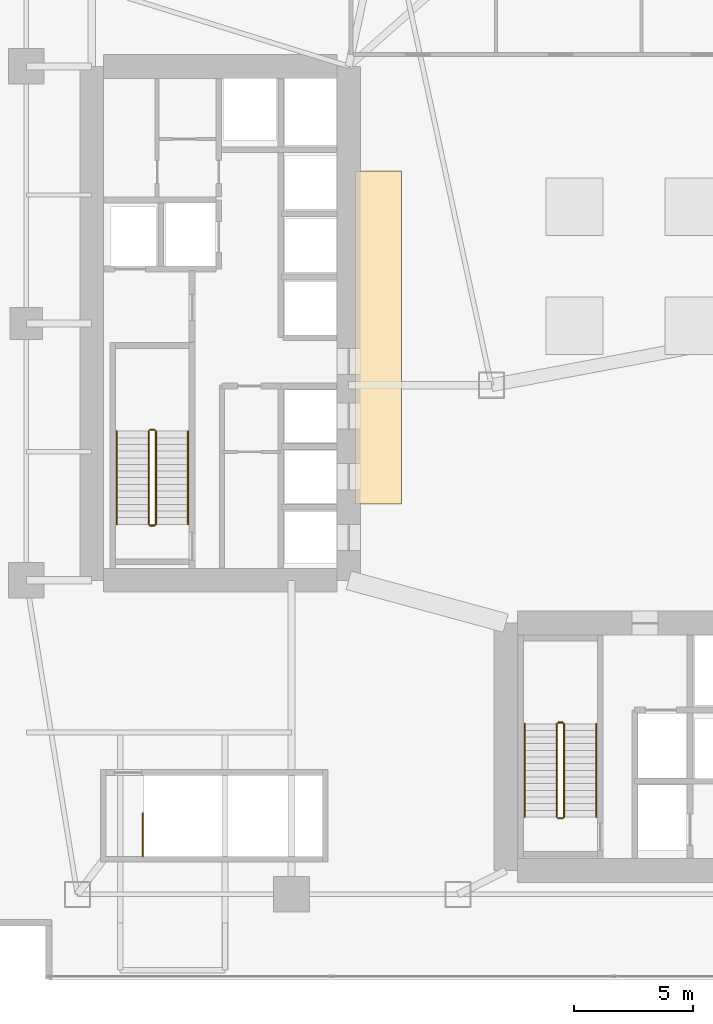
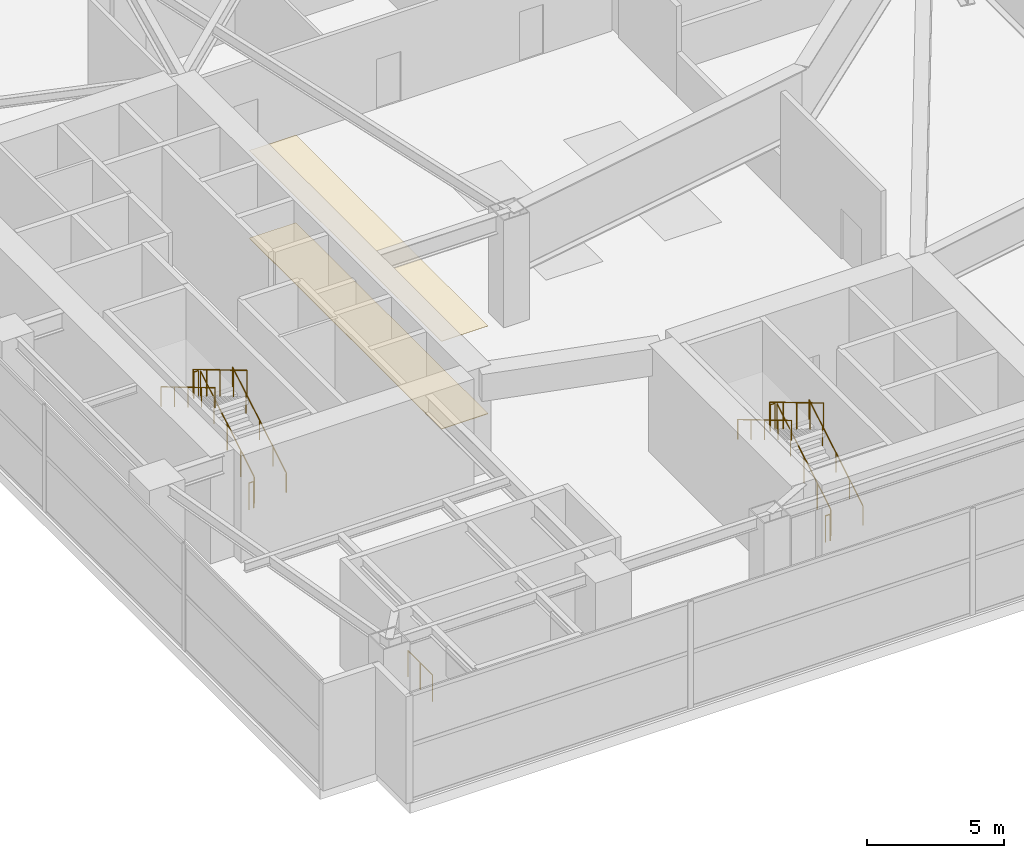
# One storey, part 35 of 36: 13 railings, 2 coverings.
"""IFC4 building model written with IfcOpenShell, lengths in metres."""

from ifc_helpers import new_model, si_unit, direction, frame, origin, origin_2d, place, context, subcontext, project, spatial, rectangle, circle, extrude, material, layer, layer_set, type_object, element, save


model = new_model("IFC4")

# Units and contexts
model_context = context("Model", 3, precision=1e-05, world=origin(), true_north=direction((0.0, 1.0)))
body_context = subcontext(model_context, "Body", "Model", "MODEL_VIEW")
ifc_project = project(units=[si_unit("LENGTHUNIT", "METRE"), si_unit("AREAUNIT", "SQUARE_METRE"), si_unit("VOLUMEUNIT", "CUBIC_METRE"), si_unit("PLANEANGLEUNIT", "RADIAN"), si_unit("MASSUNIT", "GRAM", prefix="KILO")], contexts=[model_context])

# Site, building, storey
site_placement = place(None, origin())
site = spatial("IfcSite", under=ifc_project, at=site_placement, CompositionType="ELEMENT")
building_placement = place(site_placement, origin())
building = spatial("IfcBuilding", under=site, at=building_placement, Name="Calvorn Quay Hotel", CompositionType="ELEMENT")
storey_placement = place(building_placement, frame((0.0, 0.0, 22.0)))
storey = spatial("IfcBuildingStorey", under=building, at=storey_placement, Name="L04", CompositionType="ELEMENT", Elevation=22.0)

# Coverings
ifc_material_1 = material(Name="Anodised Aluminium Acoustic Baffle", Category="aluminium")
ifc_layer_1 = layer(ifc_material_1, 0.02001953125)
ifc_layer_set_1 = layer_set([ifc_layer_1], Name="COV-CEIL-METAL")
covering_type_1 = type_object("IfcCoveringType", Name="COV-CEIL-METAL", PredefinedType="CEILING", material=ifc_layer_set_1)
covering_1_placement = place(storey_placement, frame((16.25, 27.0, 3.89990234375), z_axis=(0.0, 0.0, 1.0), x_axis=(1.0, 0.0, 0.0)))
element("IfcCovering", 1, at=covering_1_placement, inside=storey, type_object=covering_type_1, Name="Acoustic Suspended Ceiling (L04)", PredefinedType="CEILING", context=body_context, shape_type="SweptSolid", body=[
    extrude(rectangle(XDim=1.9599609375, YDim=14.0, at=origin_2d()), origin(), (0.0, 0.0, 1.0), 0.02001953125),
])
ifc_material_2 = material(Name="Honed Granite Stone Flooring", Category="masonry")
ifc_layer_2 = layer(ifc_material_2, 0.02392578125)
ifc_layer_set_2 = layer_set([ifc_layer_2], Name="COV-FLOOR-STONE")
covering_type_2 = type_object("IfcCoveringType", Name="COV-FLOOR-STONE", PredefinedType="FLOORING", material=ifc_layer_set_2)
covering_2_placement = place(storey_placement, frame((16.25, 27.0, 0.0), z_axis=(0.0, 0.0, 1.0), x_axis=(1.0, 0.0, 0.0)))
element("IfcCovering", 2, at=covering_2_placement, inside=storey, type_object=covering_type_2, Name="Interior Floor Finish (L04)", PredefinedType="FLOORING", context=body_context, shape_type="SweptSolid", body=[
    extrude(rectangle(XDim=1.9599609375, YDim=14.0, at=origin_2d()), origin(), (0.0, 0.0, 1.0), 0.02392578125),
])

# Railings
ifc_material_3 = material(Name="Brushed Stainless Steel Handrail", Category="steel")
railing_type_1 = type_object("IfcRailingType", Name="RLG-HANDRAIL-900", PredefinedType="HANDRAIL", material=ifc_material_3)
railing_1_placement = place(storey_placement, frame((8.25, 19.14990234375, 0.166748046875)))
element("IfcRailing", 3, at=railing_1_placement, inside=storey, type_object=railing_type_1, Name="L04 ST-W stair handrail 1", PredefinedType="HANDRAIL", context=body_context, shape_type="SweptSolid", body=[
    extrude(circle(Radius=0.02392578125, at=origin_2d()), frame((0.0, 0.0, 0.8759765625), z_axis=(0.0, 0.859310244771, 0.511454693235), x_axis=(-1.0, 0.0, 0.0)), (0.0, 0.0, 1.0), 4.56201171875),
    extrude(circle(Radius=0.02099609375, at=origin_2d()), origin(), (0.0, 0.0, 1.0), 0.851806640625),
    extrude(circle(Radius=0.02099609375, at=origin_2d()), frame((0.0, 0.97998046875, 0.583251953125)), (0.0, 0.0, 1.0), 0.851806640625),
    extrude(circle(Radius=0.02099609375, at=origin_2d()), frame((0.0, 1.9599609375, 1.16650390625)), (0.0, 0.0, 1.0), 0.851806640625),
    extrude(circle(Radius=0.02099609375, at=origin_2d()), frame((0.0, 2.940185546875, 1.75)), (0.0, 0.0, 1.0), 0.851806640625),
    extrude(circle(Radius=0.02099609375, at=origin_2d()), frame((0.0, 3.920166015625, 2.333251953125)), (0.0, 0.0, 1.0), 0.851806640625),
])
railing_2_placement = place(storey_placement, frame((5.25, 23.070068359375, 2.666748046875)))
element("IfcRailing", 4, at=railing_2_placement, inside=storey, type_object=railing_type_1, Name="L04 ST-W stair handrail 2", PredefinedType="HANDRAIL", context=body_context, shape_type="SweptSolid", body=[
    extrude(circle(Radius=0.02392578125, at=origin_2d()), frame((0.0, 0.0, 0.8759765625), z_axis=(0.0, -0.859310244771, 0.511454693235), x_axis=(1.0, 0.0, 0.0)), (0.0, 0.0, 1.0), 4.56201171875),
    extrude(circle(Radius=0.02099609375, at=origin_2d()), origin(), (0.0, 0.0, 1.0), 0.851806640625),
    extrude(circle(Radius=0.02099609375, at=origin_2d()), frame((0.0, -0.97998046875, 0.583251953125)), (0.0, 0.0, 1.0), 0.851806640625),
    extrude(circle(Radius=0.02099609375, at=origin_2d()), frame((0.0, -1.9599609375, 1.16650390625)), (0.0, 0.0, 1.0), 0.851806640625),
    extrude(circle(Radius=0.02099609375, at=origin_2d()), frame((0.0, -2.940185546875, 1.75)), (0.0, 0.0, 1.0), 0.851806640625),
    extrude(circle(Radius=0.02099609375, at=origin_2d()), frame((0.0, -3.920166015625, 2.333251953125)), (0.0, 0.0, 1.0), 0.851806640625),
])
railing_3_placement = place(storey_placement, frame((25.39990234375, 6.85009765625, 0.166748046875)))
element("IfcRailing", 5, at=railing_3_placement, inside=storey, type_object=railing_type_1, Name="L04 ST-E stair handrail 1", PredefinedType="HANDRAIL", context=body_context, shape_type="SweptSolid", body=[
    extrude(circle(Radius=0.02392578125, at=origin_2d()), frame((0.0, 0.0, 0.8759765625), z_axis=(0.0, 0.859296244711, 0.511478214419), x_axis=(-1.0, 0.0, 0.0)), (0.0, 0.0, 1.0), 4.561767578125),
    extrude(circle(Radius=0.02099609375, at=origin_2d()), origin(), (0.0, 0.0, 1.0), 0.851806640625),
    extrude(circle(Radius=0.02099609375, at=origin_2d()), frame((0.0, 0.97998046875, 0.583251953125)), (0.0, 0.0, 1.0), 0.851806640625),
    extrude(circle(Radius=0.02099609375, at=origin_2d()), frame((0.0, 1.9599609375, 1.16650390625)), (0.0, 0.0, 1.0), 0.851806640625),
    extrude(circle(Radius=0.02099609375, at=origin_2d()), frame((0.0, 2.93994140625, 1.75)), (0.0, 0.0, 1.0), 0.851806640625),
    extrude(circle(Radius=0.02099609375, at=origin_2d()), frame((0.0, 3.919921875, 2.333251953125)), (0.0, 0.0, 1.0), 0.851806640625),
])
railing_4_placement = place(storey_placement, frame((22.39990234375, 10.77001953125, 2.666748046875)))
element("IfcRailing", 6, at=railing_4_placement, inside=storey, type_object=railing_type_1, Name="L04 ST-E stair handrail 2", PredefinedType="HANDRAIL", context=body_context, shape_type="SweptSolid", body=[
    extrude(circle(Radius=0.02392578125, at=origin_2d()), frame((0.0, 0.0, 0.8759765625), z_axis=(0.0, -0.859296244711, 0.511478214419), x_axis=(1.0, 0.0, 0.0)), (0.0, 0.0, 1.0), 4.561767578125),
    extrude(circle(Radius=0.02099609375, at=origin_2d()), origin(), (0.0, 0.0, 1.0), 0.851806640625),
    extrude(circle(Radius=0.02099609375, at=origin_2d()), frame((0.0, -0.97998046875, 0.583251953125)), (0.0, 0.0, 1.0), 0.851806640625),
    extrude(circle(Radius=0.02099609375, at=origin_2d()), frame((0.0, -1.9599609375, 1.16650390625)), (0.0, 0.0, 1.0), 0.851806640625),
    extrude(circle(Radius=0.02099609375, at=origin_2d()), frame((0.0, -2.93994140625, 1.75)), (0.0, 0.0, 1.0), 0.851806640625),
    extrude(circle(Radius=0.02099609375, at=origin_2d()), frame((0.0, -3.919921875, 2.333251953125)), (0.0, 0.0, 1.0), 0.851806640625),
])
ifc_material_4 = material(Name="Painted Galvanised Steel Balustrade", Category="steel")
railing_type_2 = type_object("IfcRailingType", Name="RLG-STAIR-GUARD-1120", PredefinedType="GUARDRAIL", material=ifc_material_4)
railing_5_placement = place(storey_placement, frame((6.89990234375, 19.14990234375, 0.166748046875)))
element("IfcRailing", 7, at=railing_5_placement, inside=storey, type_object=railing_type_2, Name="L04 ST-W stair guard 1", PredefinedType="GUARDRAIL", context=body_context, shape_type="SweptSolid", body=[
    extrude(circle(Radius=0.02392578125, at=origin_2d()), frame((0.0, 0.0, 1.17578125), z_axis=(0.0, 0.859310244771, 0.511454693235), x_axis=(-1.0, 0.0, 0.0)), (0.0, 0.0, 1.0), 4.56201171875),
    extrude(circle(Radius=0.02099609375, at=origin_2d()), origin(), (0.0, 0.0, 1.0), 1.15185546875),
    extrude(circle(Radius=0.02099609375, at=origin_2d()), frame((0.0, 0.97998046875, 0.583251953125)), (0.0, 0.0, 1.0), 1.15185546875),
    extrude(circle(Radius=0.02099609375, at=origin_2d()), frame((0.0, 1.9599609375, 1.16650390625)), (0.0, 0.0, 1.0), 1.15185546875),
    extrude(circle(Radius=0.02099609375, at=origin_2d()), frame((0.0, 2.940185546875, 1.75)), (0.0, 0.0, 1.0), 1.15185546875),
    extrude(circle(Radius=0.02099609375, at=origin_2d()), frame((0.0, 3.920166015625, 2.333251953125)), (0.0, 0.0, 1.0), 1.15185546875),
])
railing_6_placement = place(storey_placement, frame((6.85009765625, 23.1201171875, 2.5)))
element("IfcRailing", 8, at=railing_6_placement, inside=storey, type_object=railing_type_2, Name="L04 ST-W stair guard 2", PredefinedType="GUARDRAIL", context=body_context, shape_type="SweptSolid", body=[
    extrude(circle(Radius=0.02392578125, at=origin_2d()), frame((0.0, 0.0, 1.17578125), z_axis=(-1.0, 0.0, 0.0), x_axis=(0.0, -1.0, 0.0)), (0.0, 0.0, 1.0), 0.2001953125),
    extrude(circle(Radius=0.02099609375, at=origin_2d()), origin(), (0.0, 0.0, 1.0), 1.15185546875),
    extrude(circle(Radius=0.02099609375, at=origin_2d()), frame((-0.2001953125, 0.0, 0.0)), (0.0, 0.0, 1.0), 1.15185546875),
])
railing_7_placement = place(storey_placement, frame((6.60009765625, 23.070068359375, 2.666748046875)))
element("IfcRailing", 9, at=railing_7_placement, inside=storey, type_object=railing_type_2, Name="L04 ST-W stair guard 3", PredefinedType="GUARDRAIL", context=body_context, shape_type="SweptSolid", body=[
    extrude(circle(Radius=0.02392578125, at=origin_2d()), frame((0.0, 0.0, 1.17578125), z_axis=(0.0, -0.859310244771, 0.511454693235), x_axis=(1.0, 0.0, 0.0)), (0.0, 0.0, 1.0), 4.56201171875),
    extrude(circle(Radius=0.02099609375, at=origin_2d()), origin(), (0.0, 0.0, 1.0), 1.15185546875),
    extrude(circle(Radius=0.02099609375, at=origin_2d()), frame((0.0, -0.97998046875, 0.583251953125)), (0.0, 0.0, 1.0), 1.15185546875),
    extrude(circle(Radius=0.02099609375, at=origin_2d()), frame((0.0, -1.9599609375, 1.16650390625)), (0.0, 0.0, 1.0), 1.15185546875),
    extrude(circle(Radius=0.02099609375, at=origin_2d()), frame((0.0, -2.940185546875, 1.75)), (0.0, 0.0, 1.0), 1.15185546875),
    extrude(circle(Radius=0.02099609375, at=origin_2d()), frame((0.0, -3.920166015625, 2.333251953125)), (0.0, 0.0, 1.0), 1.15185546875),
])
railing_8_placement = place(storey_placement, frame((6.85009765625, 19.10009765625, 0.0)))
element("IfcRailing", 10, at=railing_8_placement, inside=storey, type_object=railing_type_2, Name="L04 ST-W stair guard 4", PredefinedType="GUARDRAIL", context=body_context, shape_type="SweptSolid", body=[
    extrude(circle(Radius=0.02392578125, at=origin_2d()), frame((0.0, 0.0, 1.17578125), z_axis=(-1.0, 0.0, 0.0), x_axis=(0.0, -1.0, 0.0)), (0.0, 0.0, 1.0), 0.2001953125),
    extrude(circle(Radius=0.02099609375, at=origin_2d()), origin(), (0.0, 0.0, 1.0), 1.15185546875),
    extrude(circle(Radius=0.02099609375, at=origin_2d()), frame((-0.2001953125, 0.0, 0.0)), (0.0, 0.0, 1.0), 1.15185546875),
])
railing_9_placement = place(storey_placement, frame((24.050048828125, 6.85009765625, 0.166748046875)))
element("IfcRailing", 11, at=railing_9_placement, inside=storey, type_object=railing_type_2, Name="L04 ST-E stair guard 1", PredefinedType="GUARDRAIL", context=body_context, shape_type="SweptSolid", body=[
    extrude(circle(Radius=0.02392578125, at=origin_2d()), frame((0.0, 0.0, 1.17578125), z_axis=(0.0, 0.859296244711, 0.511478214419), x_axis=(-1.0, 0.0, 0.0)), (0.0, 0.0, 1.0), 4.561767578125),
    extrude(circle(Radius=0.02099609375, at=origin_2d()), origin(), (0.0, 0.0, 1.0), 1.15185546875),
    extrude(circle(Radius=0.02099609375, at=origin_2d()), frame((0.0, 0.97998046875, 0.583251953125)), (0.0, 0.0, 1.0), 1.15185546875),
    extrude(circle(Radius=0.02099609375, at=origin_2d()), frame((0.0, 1.9599609375, 1.16650390625)), (0.0, 0.0, 1.0), 1.15185546875),
    extrude(circle(Radius=0.02099609375, at=origin_2d()), frame((0.0, 2.93994140625, 1.75)), (0.0, 0.0, 1.0), 1.15185546875),
    extrude(circle(Radius=0.02099609375, at=origin_2d()), frame((0.0, 3.919921875, 2.333251953125)), (0.0, 0.0, 1.0), 1.15185546875),
])
railing_10_placement = place(storey_placement, frame((24.0, 10.820068359375, 2.5)))
element("IfcRailing", 12, at=railing_10_placement, inside=storey, type_object=railing_type_2, Name="L04 ST-E stair guard 2", PredefinedType="GUARDRAIL", context=body_context, shape_type="SweptSolid", body=[
    extrude(circle(Radius=0.02392578125, at=origin_2d()), frame((0.0, 0.0, 1.17578125), z_axis=(-1.0, 0.0, 0.0), x_axis=(0.0, -1.0, 0.0)), (0.0, 0.0, 1.0), 0.199951171875),
    extrude(circle(Radius=0.02099609375, at=origin_2d()), origin(), (0.0, 0.0, 1.0), 1.15185546875),
    extrude(circle(Radius=0.02099609375, at=origin_2d()), frame((-0.199951171875, 0.0, 0.0)), (0.0, 0.0, 1.0), 1.15185546875),
])
railing_11_placement = place(storey_placement, frame((23.75, 10.77001953125, 2.666748046875)))
element("IfcRailing", 13, at=railing_11_placement, inside=storey, type_object=railing_type_2, Name="L04 ST-E stair guard 3", PredefinedType="GUARDRAIL", context=body_context, shape_type="SweptSolid", body=[
    extrude(circle(Radius=0.02392578125, at=origin_2d()), frame((0.0, 0.0, 1.17578125), z_axis=(0.0, -0.859296244711, 0.511478214419), x_axis=(1.0, 0.0, 0.0)), (0.0, 0.0, 1.0), 4.561767578125),
    extrude(circle(Radius=0.02099609375, at=origin_2d()), origin(), (0.0, 0.0, 1.0), 1.15185546875),
    extrude(circle(Radius=0.02099609375, at=origin_2d()), frame((0.0, -0.97998046875, 0.583251953125)), (0.0, 0.0, 1.0), 1.15185546875),
    extrude(circle(Radius=0.02099609375, at=origin_2d()), frame((0.0, -1.9599609375, 1.16650390625)), (0.0, 0.0, 1.0), 1.15185546875),
    extrude(circle(Radius=0.02099609375, at=origin_2d()), frame((0.0, -2.93994140625, 1.75)), (0.0, 0.0, 1.0), 1.15185546875),
    extrude(circle(Radius=0.02099609375, at=origin_2d()), frame((0.0, -3.919921875, 2.333251953125)), (0.0, 0.0, 1.0), 1.15185546875),
])
railing_12_placement = place(storey_placement, frame((24.0, 6.800048828125, 0.0)))
element("IfcRailing", 14, at=railing_12_placement, inside=storey, type_object=railing_type_2, Name="L04 ST-E stair guard 4", PredefinedType="GUARDRAIL", context=body_context, shape_type="SweptSolid", body=[
    extrude(circle(Radius=0.02392578125, at=origin_2d()), frame((0.0, 0.0, 1.17578125), z_axis=(-1.0, 0.0, 0.0), x_axis=(0.0, -1.0, 0.0)), (0.0, 0.0, 1.0), 0.199951171875),
    extrude(circle(Radius=0.02099609375, at=origin_2d()), origin(), (0.0, 0.0, 1.0), 1.15185546875),
    extrude(circle(Radius=0.02099609375, at=origin_2d()), frame((-0.199951171875, 0.0, 0.0)), (0.0, 0.0, 1.0), 1.15185546875),
])
railing_13_placement = place(storey_placement, frame((6.35009765625, 5.199951171875, 0.0)))
element("IfcRailing", 15, at=railing_13_placement, inside=storey, type_object=railing_type_2, Name="L04 ST-P2 top well guard 1", PredefinedType="GUARDRAIL", context=body_context, shape_type="SweptSolid", body=[
    extrude(circle(Radius=0.02392578125, at=origin_2d()), frame((0.0, 0.0, 1.17578125), z_axis=(0.0, 1.0, 0.0), x_axis=(-1.0, 0.0, 0.0)), (0.0, 0.0, 1.0), 1.800048828125),
    extrude(circle(Radius=0.02099609375, at=origin_2d()), origin(), (0.0, 0.0, 1.0), 1.15185546875),
    extrude(circle(Radius=0.02099609375, at=origin_2d()), frame((0.0, 0.89990234375, 0.0)), (0.0, 0.0, 1.0), 1.15185546875),
    extrude(circle(Radius=0.02099609375, at=origin_2d()), frame((0.0, 1.800048828125, 0.0)), (0.0, 0.0, 1.0), 1.15185546875),
])

save(model, "model.ifc")
